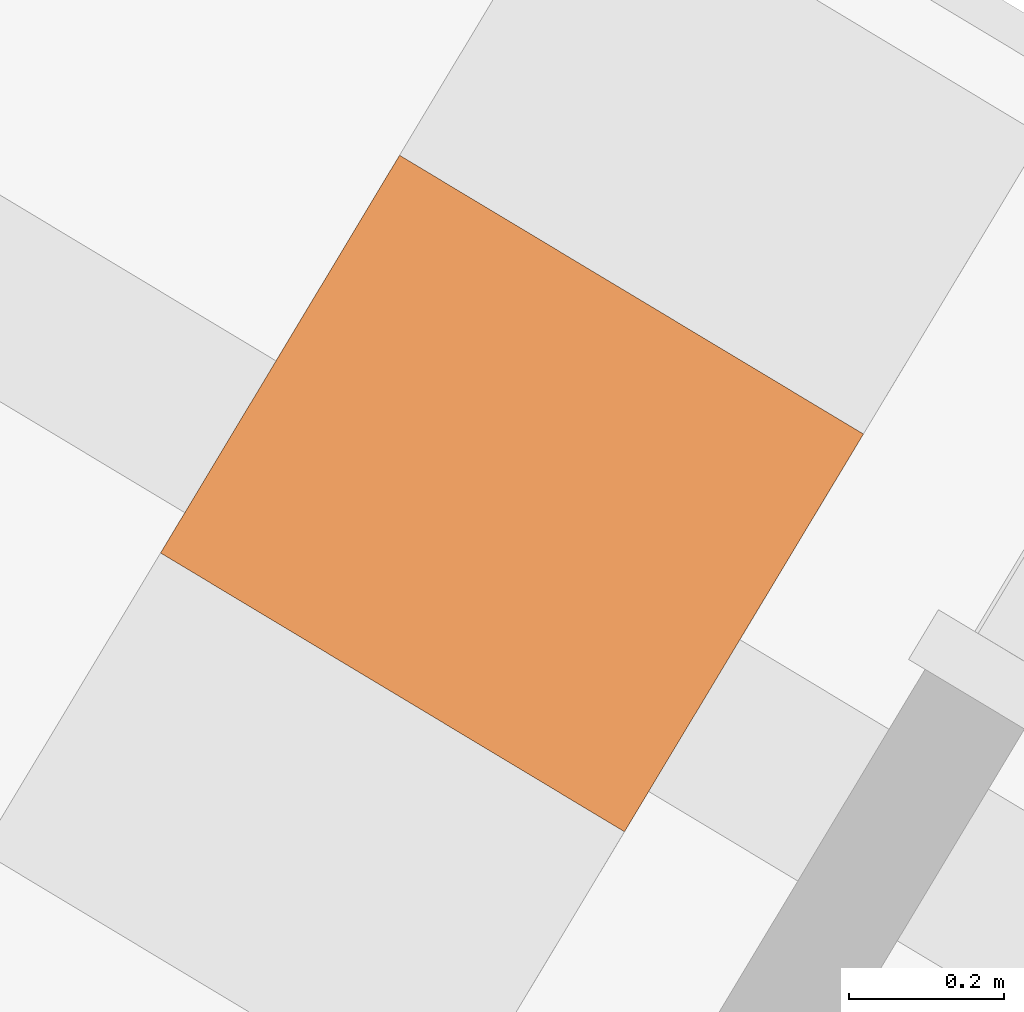
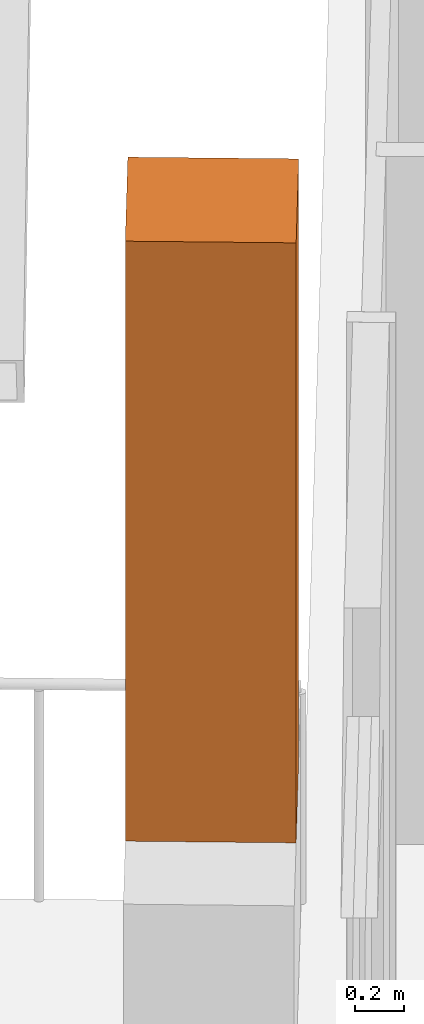
# One storey, part 19 of 19: 1 geographic element.
"""IFC4 building model written with IfcOpenShell, lengths in metres."""

from ifc_helpers import new_model, si_unit, direction, frame, origin, origin_2d, place, context, subcontext, project, spatial, rectangle, extrude, source, transform, mapped, material, type_object, element, save


model = new_model("IFC4")

# Units and contexts
model_context = context("Model", 3, precision=1e-05, world=origin(), true_north=direction((0.0, 1.0)))
body_context = subcontext(model_context, "Body", "Model", "MODEL_VIEW")
ifc_project = project(units=[si_unit("LENGTHUNIT", "METRE"), si_unit("AREAUNIT", "SQUARE_METRE"), si_unit("VOLUMEUNIT", "CUBIC_METRE"), si_unit("PLANEANGLEUNIT", "RADIAN"), si_unit("MASSUNIT", "GRAM", prefix="KILO")], contexts=[model_context])

# Site, building, storey
site_placement = place(None, origin())
site = spatial("IfcSite", under=ifc_project, at=site_placement, CompositionType="ELEMENT")
building_placement = place(site_placement, origin())
building = spatial("IfcBuilding", under=site, at=building_placement, Name="Triune Harvest Tower", CompositionType="ELEMENT")
storey_placement = place(building_placement, frame((0.0, 0.0, 205.10009765625)))
storey = spatial("IfcBuildingStorey", under=building, at=storey_placement, Name="L53", CompositionType="ELEMENT", Elevation=205.10009765625)

# Geographic element
ifc_material = material(Name="TREE-1 tree")
geographic_element_type = type_object("IfcGeographicElementType", Name="TREE-1 tree", PredefinedType="USERDEFINED", material=ifc_material)
shared_shape = source(origin(), body_context, "Body", "SweptSolid", [
    extrude(rectangle(XDim=0.60009765625, YDim=0.699951171875, at=origin_2d()), origin(), (0.0, 0.0, 1.0), 3.0),
])
geographic_element_placement = place(storey_placement, frame((-14.876220703125, 16.650634765625, 1.099853515625), z_axis=(0.0, 0.0, 1.0), x_axis=(-0.515036632219, -0.857168167557, 0.0)))
element("IfcGeographicElement", 1, at=geographic_element_placement, inside=storey, type_object=geographic_element_type, Name="Tree B5-F3 L53.5a", ObjectType="TREE", PredefinedType="USERDEFINED", context=body_context, shape_type="MappedRepresentation", body=[
    mapped(shared_shape, transform((0.0, 0.0, 0.0), scale=1.0)),
])

save(model, "model.ifc")
